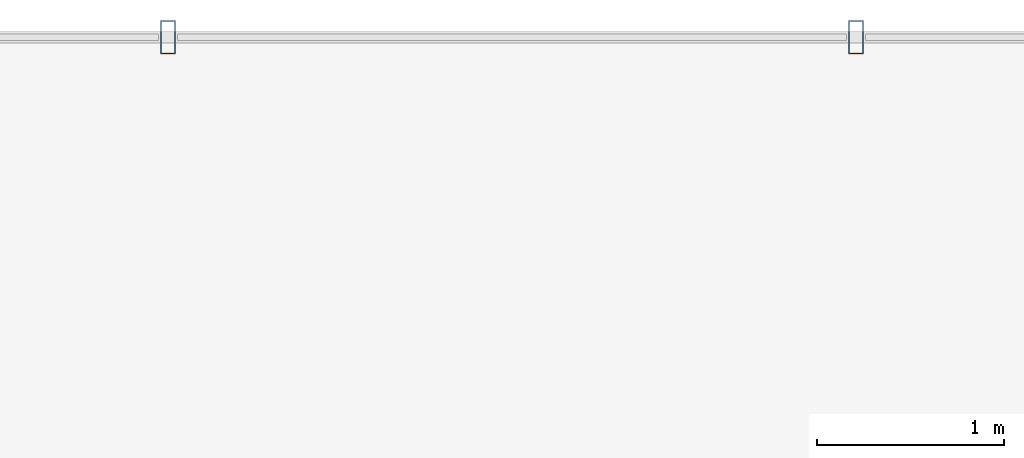
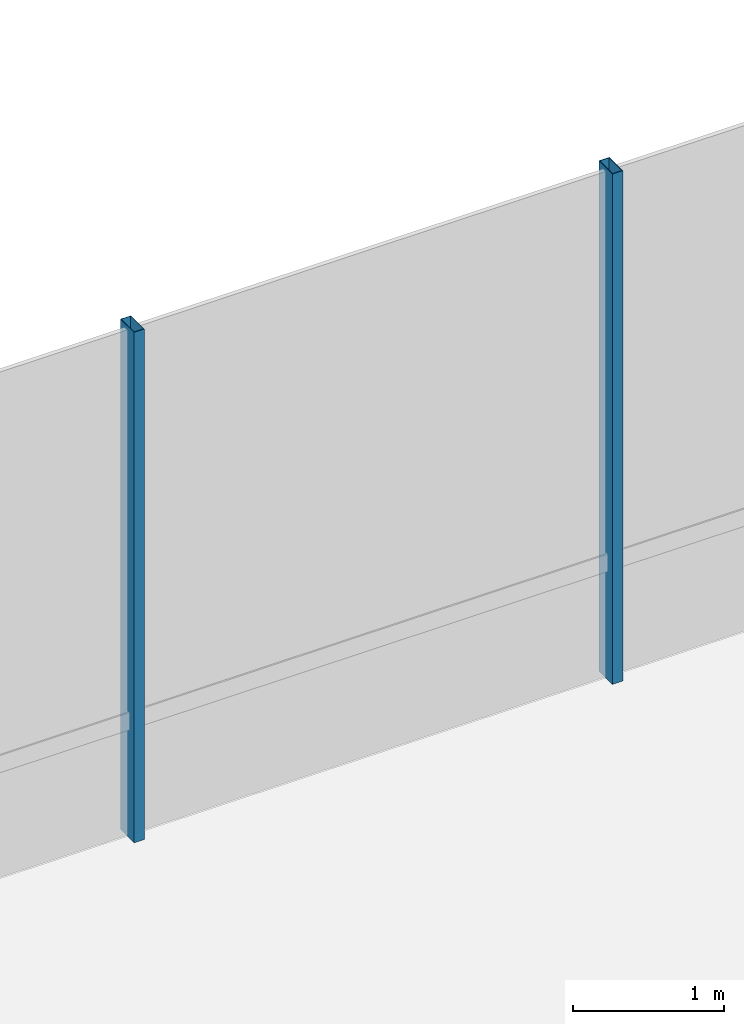
# One storey, part 19 of 43: 2 members, 1 element without a shape of its own.
"""IFC4 building model written with IfcOpenShell, lengths in metres."""

import ifcopenshell
import ifcopenshell.guid

model = None  # the IFC model being written
_history = None  # IfcOwnerHistory: only IFC2X3 demands one
_inside = {}  # id of a spatial element -> (the spatial element, [elements in it])
_under = {}  # id of a project, library or spatial element -> (it, [spatial elements below it])
_declared = {}  # id of a project -> (the project, [libraries it declares])
_typed = {}  # id of a type object -> (the type object, [elements of that type])
_made_of = {}  # id of a material, layer set ... -> (it, [elements and type objects made of it])


def new_model(schema):
    """Start an empty IFC model of exactly this schema.

    Asked for "IFC4X3", IfcOpenShell would pick the latest addendum, in which some entities
    have other attributes; the version numbers below select the first issue.
    IFC2X3 requires an IfcOwnerHistory on every rooted entity: one is made here for all.
    """
    global model, _history
    if schema == "IFC4X3":
        model = ifcopenshell.file(schema_version=(4, 3, 0, 0))
    else:
        model = ifcopenshell.file(schema=schema)
    _inside.clear()
    _under.clear()
    _declared.clear()
    _typed.clear()
    _made_of.clear()
    _history = None
    if model.schema == "IFC2X3":
        org = make("IfcOrganization", Name="unknown")
        user = make(
            "IfcPersonAndOrganization",
            ThePerson=make("IfcPerson", FamilyName="unknown"),
            TheOrganization=org,
        )
        app = make(
            "IfcApplication",
            ApplicationDeveloper=org,
            Version="unknown",
            ApplicationFullName="unknown",
            ApplicationIdentifier="unknown",
        )
        _history = make(
            "IfcOwnerHistory",
            OwningUser=user,
            OwningApplication=app,
            ChangeAction="ADDED",
            CreationDate=0,
        )
    return model


def make(cls, **values):
    """One entity of the class cls with the attributes given. An attribute that is None is left unset."""
    return model.create_entity(
        cls, **{name: value for name, value in values.items() if value is not None}
    )


def rooted(cls, **values):
    """An entity with a GlobalId (a new one), such as an element, a storey or a relation."""
    return make(cls, GlobalId=ifcopenshell.guid.new(), OwnerHistory=_history, **values)


def si_unit(unit_type, name, prefix=None):
    """IfcSIUnit, for example si_unit("LENGTHUNIT", "METRE", prefix="MILLI")."""
    return make("IfcSIUnit", UnitType=unit_type, Prefix=prefix, Name=name)


def assignment(units):
    """IfcUnitAssignment: the units of a project."""
    return None if units is None else make("IfcUnitAssignment", Units=units)


def point(xyz):
    """IfcCartesianPoint."""
    return None if xyz is None else make("IfcCartesianPoint", Coordinates=xyz)


def direction(xyz):
    """IfcDirection."""
    return None if xyz is None else make("IfcDirection", DirectionRatios=xyz)


def frame(location, z_axis=None, x_axis=None):
    """IfcAxis2Placement3D, a coordinate frame: its origin and axes. An axis left out is left unset."""
    return make(
        "IfcAxis2Placement3D",
        Location=point(location),
        Axis=direction(z_axis),
        RefDirection=direction(x_axis),
    )


def frame_2d(location, x_axis=None):
    """IfcAxis2Placement2D, a coordinate frame in the plane: its origin and x axis."""
    return make(
        "IfcAxis2Placement2D", Location=point(location), RefDirection=direction(x_axis)
    )


def origin():
    """The frame at (0, 0, 0) with its axes left unset."""
    return frame((0.0, 0.0, 0.0))


def origin_2d():
    """The frame at (0, 0) in the plane with its x axis left unset."""
    return frame_2d((0.0, 0.0))


def place(relative_to, where):
    """IfcLocalPlacement: puts the frame where relative to a parent placement (None: the world)."""
    return make(
        "IfcLocalPlacement", PlacementRelTo=relative_to, RelativePlacement=where
    )


def context(
    kind, dimensions, precision=None, world=None, true_north=None, identifier=None
):
    """IfcGeometricRepresentationContext, for example the 3D "Model" context."""
    return make(
        "IfcGeometricRepresentationContext",
        ContextIdentifier=identifier,
        ContextType=kind,
        CoordinateSpaceDimension=dimensions,
        Precision=precision,
        WorldCoordinateSystem=world,
        TrueNorth=true_north,
    )


def subcontext(parent, identifier, kind, view, scale=None):
    """IfcGeometricRepresentationSubContext, for example "Body" below "Model"."""
    return make(
        "IfcGeometricRepresentationSubContext",
        ContextIdentifier=identifier,
        ContextType=kind,
        ParentContext=parent,
        TargetScale=scale,
        TargetView=view,
    )


def project(units=None, contexts=None):
    """IfcProject with its units and contexts."""
    return rooted(
        "IfcProject",
        Name="project",
        RepresentationContexts=contexts,
        UnitsInContext=assignment(units),
    )


def spatial(cls, under=None, at=None, **own):
    """A site, building, storey or space (cls), placed at a placement, below another one or the project."""
    s = rooted(cls, ObjectPlacement=at, **own)
    if under is not None:
        _under.setdefault(under.id(), (under, []))[1].append(s)
    return s


def profile(cls, at=None, kind="AREA", **sizes):
    """A parametric profile (cls). Its sizes go by their IFC names, for example OverallWidth=200.0."""
    return make(cls, ProfileType=kind, Position=at, **sizes)


def hollow_rectangle(**sizes):
    """IfcRectangleHollowProfileDef."""
    return profile("IfcRectangleHollowProfileDef", **sizes)


def extrude(swept, where, along, depth):
    """IfcExtrudedAreaSolid: the profile swept, set in the frame where, extruded along a direction by depth."""
    return make(
        "IfcExtrudedAreaSolid",
        SweptArea=swept,
        Position=where,
        ExtrudedDirection=direction(along),
        Depth=depth,
    )


def shape(context_of_items, identifier, shape_type, items):
    """IfcShapeRepresentation: the items that make up one representation, for example the "Body"."""
    return make(
        "IfcShapeRepresentation",
        ContextOfItems=context_of_items,
        RepresentationIdentifier=identifier,
        RepresentationType=shape_type,
        Items=items,
    )


def material(Name=None, Category=None):
    """IfcMaterial."""
    return make("IfcMaterial", Name=Name, Category=Category)


def layer(
    of_material, thickness, ventilated=None, Name=None, Category=None, Priority=None
):
    """IfcMaterialLayer: one layer of a wall or slab, of a material (None: an air gap)."""
    return make(
        "IfcMaterialLayer",
        Material=of_material,
        LayerThickness=thickness,
        IsVentilated=ventilated,
        Name=Name,
        Category=Category,
        Priority=Priority,
    )


def layer_set(layers, Name=None):
    """IfcMaterialLayerSet."""
    return make("IfcMaterialLayerSet", MaterialLayers=layers, LayerSetName=Name)


def material_profile(
    of_material, cross_section, Name=None, Category=None, Priority=None
):
    """IfcMaterialProfile: a cross section and its material."""
    return make(
        "IfcMaterialProfile",
        Name=Name,
        Material=of_material,
        Profile=cross_section,
        Priority=Priority,
        Category=Category,
    )


def profile_set(profiles, Name=None, composite=None):
    """IfcMaterialProfileSet."""
    return make(
        "IfcMaterialProfileSet",
        Name=Name,
        MaterialProfiles=profiles,
        CompositeProfile=composite,
    )


def made_of(thing, what):
    """Note that an element or type object is made of a material, layer set ...; save() writes the relation."""
    if what is not None:
        _made_of.setdefault(what.id(), (what, []))[1].append(thing)
    return thing


def type_object(cls, material=None, **own):
    """A type object (cls), such as IfcWallType, which elements share."""
    return made_of(rooted(cls, **own), material)


def element(
    cls,
    number,
    at=None,
    inside=None,
    cuts=None,
    type_object=None,
    material=None,
    context=None,
    identifier="Body",
    shape_type=None,
    held_by="IfcProductDefinitionShape",
    body=None,
    shapes=None,
    **own,
):
    """One element of the class cls, such as IfcWall. Its Tag is "e" and its number.

    at: its placement. inside: the storey or other place that contains it. cuts: it is an
    opening in that element (IfcRelVoidsElement). A single representation is given by context,
    identifier, shape_type and body (its items); several are given by shapes. held_by: the class
    of the entity that holds the representations. save() writes the other relations.
    """
    e = rooted(cls, Tag="e%d" % number, ObjectPlacement=at, **own)
    if body is not None:
        shapes = [shape(context, identifier, shape_type, body)]
    if shapes is not None:
        e.Representation = make(held_by, Representations=shapes)
    if inside is not None:
        _inside.setdefault(inside.id(), (inside, []))[1].append(e)
    if cuts is not None:
        rooted(
            "IfcRelVoidsElement", RelatingBuildingElement=cuts, RelatedOpeningElement=e
        )
    if type_object is not None:
        _typed.setdefault(type_object.id(), (type_object, []))[1].append(e)
    return made_of(e, material)


def aggregate(whole, parts):
    """IfcRelAggregates: a whole, such as a stair, and the parts it consists of."""
    return rooted("IfcRelAggregates", RelatingObject=whole, RelatedObjects=parts)


def save(model, path):
    """Write the relations noted so far, then the file.

    IfcRelAggregates (storeys below a building ...), IfcRelContainedInSpatialStructure (elements
    in a storey), IfcRelDefinesByType, IfcRelAssociatesMaterial and IfcRelDeclares: one each for
    every whole, place, type object, material and project.
    """
    for whole, parts in _under.values():
        aggregate(whole, parts)
    for where, things in _inside.values():
        rooted(
            "IfcRelContainedInSpatialStructure",
            RelatedElements=things,
            RelatingStructure=where,
        )
    for kind, things in _typed.values():
        rooted("IfcRelDefinesByType", RelatedObjects=things, RelatingType=kind)
    for what, things in _made_of.values():
        rooted("IfcRelAssociatesMaterial", RelatedObjects=things, RelatingMaterial=what)
    for by, libraries in _declared.values():
        rooted("IfcRelDeclares", RelatingContext=by, RelatedDefinitions=libraries)
    model.write(path)


model = new_model("IFC4")

# Units and contexts
model_context = context("Model", 3, precision=1e-05, world=origin(), true_north=direction((0.0, 1.0)))
body_context = subcontext(model_context, "Body", "Model", "MODEL_VIEW")
ifc_project = project(units=[si_unit("LENGTHUNIT", "METRE"), si_unit("AREAUNIT", "SQUARE_METRE"), si_unit("VOLUMEUNIT", "CUBIC_METRE"), si_unit("PLANEANGLEUNIT", "RADIAN"), si_unit("MASSUNIT", "GRAM", prefix="KILO")], contexts=[model_context])

# Site, building, storey
site_placement = place(None, origin())
site = spatial("IfcSite", under=ifc_project, at=site_placement, CompositionType="ELEMENT")
building_placement = place(site_placement, origin())
building = spatial("IfcBuilding", under=site, at=building_placement, Name="Zarrinselat Tower", CompositionType="ELEMENT")
storey_placement = place(building_placement, frame((0.0, 0.0, 5.10009765625)))
storey = spatial("IfcBuildingStorey", under=building, at=storey_placement, Name="L01", CompositionType="ELEMENT", Elevation=5.10009765625)

# Curtain wall, members
ifc_material_1 = material(Name="Extruded Aluminium Alloy EN AW-6063 T6", Category="aluminium")
ifc_layer = layer(ifc_material_1, 0.2099609375)
ifc_layer_set = layer_set([ifc_layer], Name="Extruded Aluminium Alloy EN AW-6063 T6")
curtain_wall_type = type_object("IfcCurtainWallType", Name="CWS-POD", PredefinedType="NOTDEFINED", material=ifc_layer_set)
curtain_wall_placement = place(storey_placement, origin())
curtain_wall = element("IfcCurtainWall", 1, at=curtain_wall_placement, inside=storey, type_object=curtain_wall_type, Name="L01 Unitised Curtain Wall CW-L01-F5", PredefinedType="NOTDEFINED")
ifc_material_2 = material(Name="Extruded Aluminium Alloy EN AW-6063 T6", Category="aluminium")
ifc_material_profile = material_profile(ifc_material_2, hollow_rectangle(XDim=0.080078125, YDim=0.179931640625, WallThickness=0.0048828125, at=origin_2d()), Name="RHS 180x80x5")
ifc_profile_set = profile_set([ifc_material_profile], Name="Extruded Aluminium Alloy EN AW-6063 T6")
member_type = type_object("IfcMemberType", Name="MEM-CW-MUL", PredefinedType="MULLION", material=ifc_profile_set)
member_1_placement = place(storey_placement, frame((12.7099609375, 52.199951171875, 0.0), z_axis=(0.0, 0.0, 1.0), x_axis=(-1.0, 0.0, 0.0)))
member_1 = element("IfcMember", 2, at=member_1_placement, type_object=member_type, Name="CW-L01-F5 Mullion 17", PredefinedType="MULLION", context=body_context, shape_type="SweptSolid", body=[
    extrude(hollow_rectangle(XDim=0.080078125, YDim=0.179931640625, WallThickness=0.0048828125, at=origin_2d()), origin(), (0.0, 0.0, 1.0), 4.139892578125),
])
member_2_placement = place(storey_placement, frame((9.0400390625, 52.199951171875, 0.0), z_axis=(0.0, 0.0, 1.0), x_axis=(-1.0, 0.0, 0.0)))
member_2 = element("IfcMember", 3, at=member_2_placement, type_object=member_type, Name="CW-L01-F5 Mullion 18", PredefinedType="MULLION", context=body_context, shape_type="SweptSolid", body=[
    extrude(hollow_rectangle(XDim=0.080078125, YDim=0.179931640625, WallThickness=0.0048828125, at=origin_2d()), origin(), (0.0, 0.0, 1.0), 4.139892578125),
])
aggregate(curtain_wall, [member_1, member_2])

save(model, "model.ifc")
